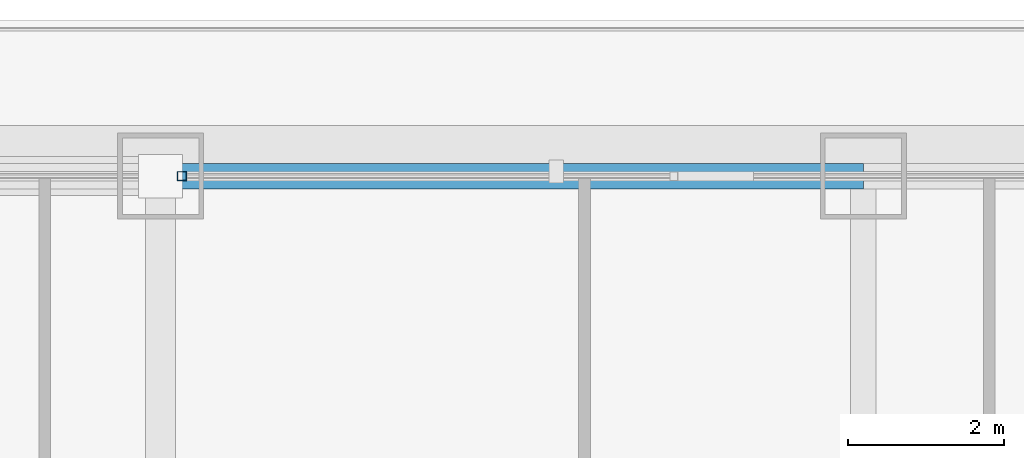
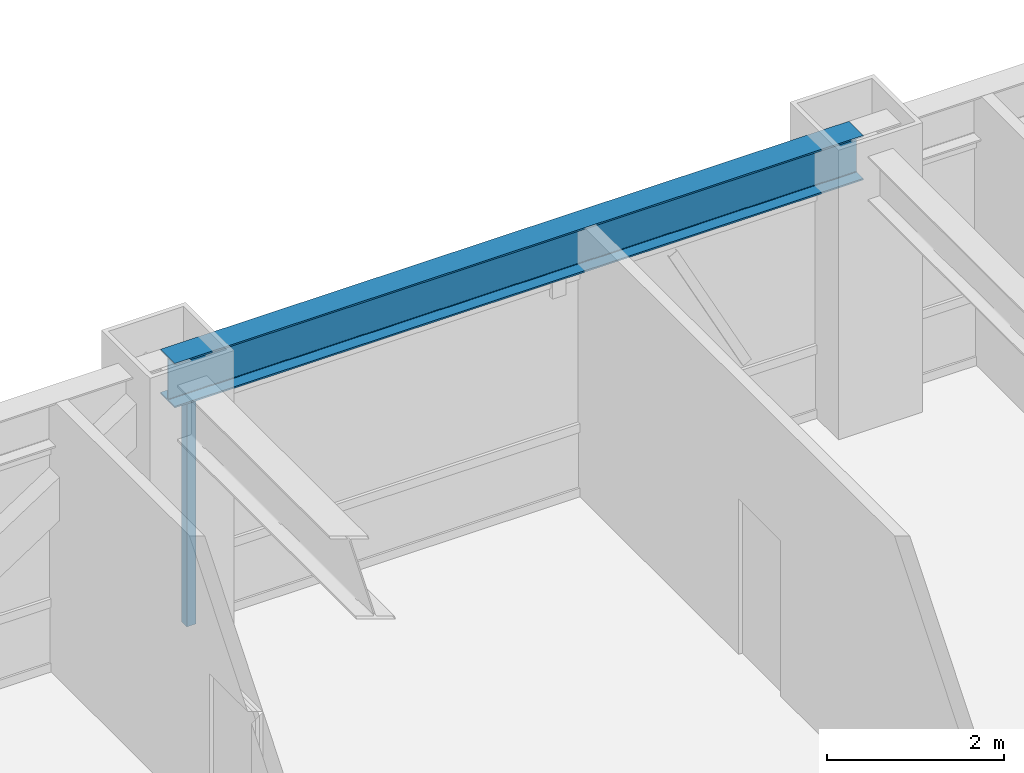
# One storey, part 21 of 35: 1 beam, 1 member, 1 element without a shape of its own.
"""IFC4 building model written with IfcOpenShell, lengths in metres."""

from ifc_helpers import new_model, si_unit, direction, frame, origin, origin_2d, place, context, subcontext, project, spatial, hollow_rectangle, i_section, extrude, source, transform, mapped, material, material_profile, profile_set, type_object, element, aggregate, save


model = new_model("IFC4")

# Units and contexts
model_context = context("Model", 3, precision=1e-05, world=origin(), true_north=direction((0.0, 1.0)))
body_context = subcontext(model_context, "Body", "Model", "MODEL_VIEW")
ifc_project = project(units=[si_unit("LENGTHUNIT", "METRE"), si_unit("AREAUNIT", "SQUARE_METRE"), si_unit("VOLUMEUNIT", "CUBIC_METRE"), si_unit("PLANEANGLEUNIT", "RADIAN"), si_unit("MASSUNIT", "GRAM", prefix="KILO")], contexts=[model_context])

# Site, building, storey
site_placement = place(None, origin())
site = spatial("IfcSite", under=ifc_project, at=site_placement, CompositionType="ELEMENT")
building_placement = place(site_placement, origin())
building = spatial("IfcBuilding", under=site, at=building_placement, Name="Khorayat Bourse Tower", CompositionType="ELEMENT")
storey_placement = place(building_placement, frame((0.0, 0.0, 155.10009765625)))
storey = spatial("IfcBuildingStorey", under=building, at=storey_placement, Name="L35", CompositionType="ELEMENT", Elevation=155.10009765625)

# Beam
ifc_material_1 = material(Name="Steel ASTM A992 Grade 50", Category="steel")
ifc_material_profile_1 = material_profile(ifc_material_1, i_section(OverallWidth=0.324951171875, OverallDepth=0.615966796875, WebThickness=0.013916015625, FlangeThickness=0.021484375, FilletRadius=0.01611328125, at=origin_2d()), Name="W610X174")
ifc_profile_set_1 = profile_set([ifc_material_profile_1], Name="Steel ASTM A992 Grade 50")
beam_type = type_object("IfcBeamType", Name="BM-SPAN-610", PredefinedType="SPANDREL", material=ifc_profile_set_1)
shared_shape_1 = source(origin(), body_context, "Body", "SweptSolid", [
    extrude(i_section(OverallWidth=0.324951171875, OverallDepth=0.615966796875, WebThickness=0.013916015625, FlangeThickness=0.021484375, FilletRadius=0.01611328125, at=origin_2d()), origin(), (0.0, 0.0, 1.0), 9.0),
])
beam_placement = place(storey_placement, frame((11.0, 30.0, 3.471923828125), z_axis=(1.0, 0.0, 0.0), x_axis=(0.0, 1.0, 0.0)))
element("IfcBeam", 1, at=beam_placement, inside=storey, type_object=beam_type, Name="L35 BM-SPAN-610 BM-L35-SPN-045", PredefinedType="SPANDREL", context=body_context, shape_type="MappedRepresentation", body=[
    mapped(shared_shape_1, transform((0.0, 0.0, 0.0), scale=1.0)),
])

# Curtain wall, member
ifc_material_2 = material(Name="Aluminium EN AW-6063 T6", Category="aluminium")
curtain_wall_type = type_object("IfcCurtainWallType", Name="CW-SYS-03", PredefinedType="NOTDEFINED", material=ifc_material_2)
curtain_wall_placement = place(storey_placement, origin())
curtain_wall = element("IfcCurtainWall", 2, at=curtain_wall_placement, inside=storey, type_object=curtain_wall_type, Name="L35 Curtain Wall CW-L35-N2", PredefinedType="NOTDEFINED")
ifc_material_profile_2 = material_profile(ifc_material_2, hollow_rectangle(XDim=0.1201171875, YDim=0.1201171875, WallThickness=0.0048828125, at=origin_2d()), Name="ALU 120x120x5")
ifc_profile_set_2 = profile_set([ifc_material_profile_2], Name="Aluminium EN AW-6063 T6")
member_type = type_object("IfcMemberType", Name="CWM-VERT-120", PredefinedType="MULLION", material=ifc_profile_set_2)
shared_shape_2 = source(origin(), body_context, "Body", "SweptSolid", [
    extrude(hollow_rectangle(XDim=0.1201171875, YDim=0.1201171875, WallThickness=0.0048828125, at=origin_2d()), origin(), (0.0, 0.0, 1.0), 3.1298828125),
])
member_placement = place(storey_placement, frame((11.27490234375, 30.0, 0.0), z_axis=(0.0, 0.0, 1.0), x_axis=(0.0, 1.0, 0.0)))
member = element("IfcMember", 3, at=member_placement, type_object=member_type, Name="CW-L35-N2 Vertical Mullion 2", PredefinedType="MULLION", context=body_context, shape_type="MappedRepresentation", body=[
    mapped(shared_shape_2, transform((0.0, 0.0, 0.0), scale=1.0)),
])
aggregate(curtain_wall, [member])

save(model, "model.ifc")
